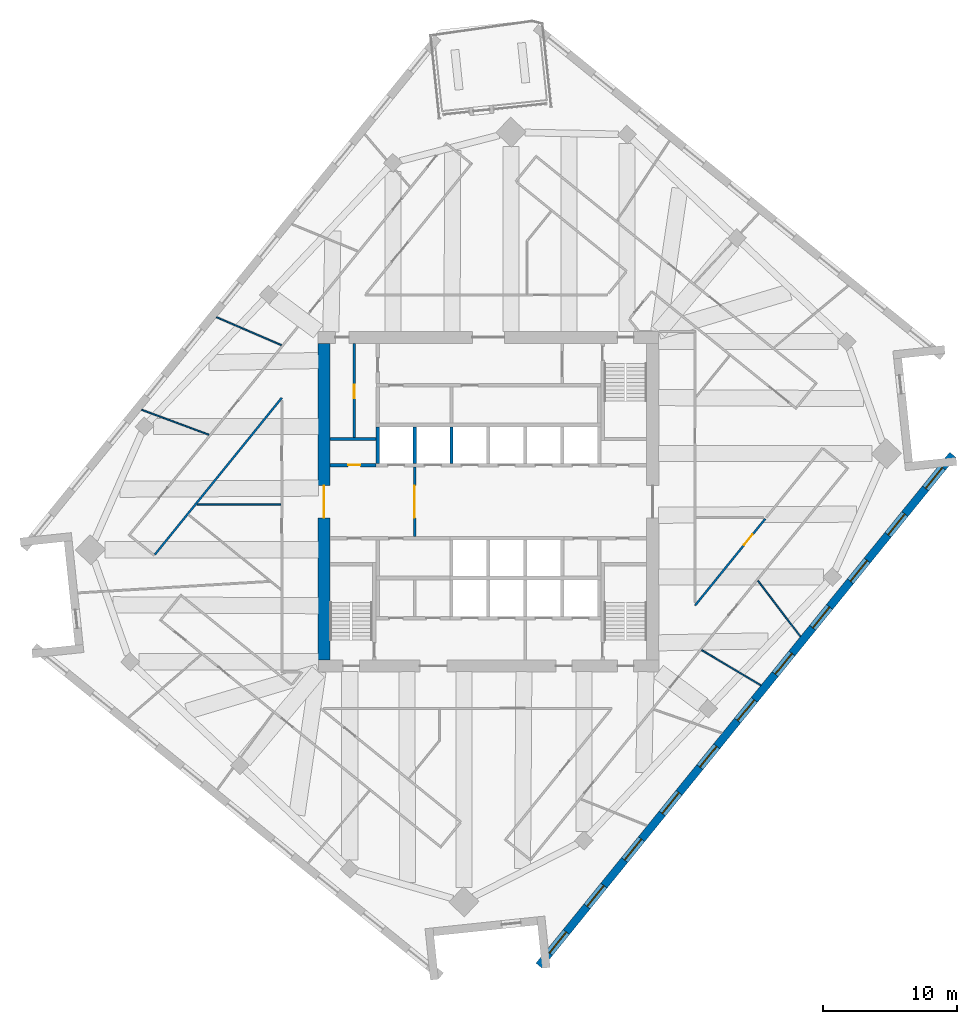
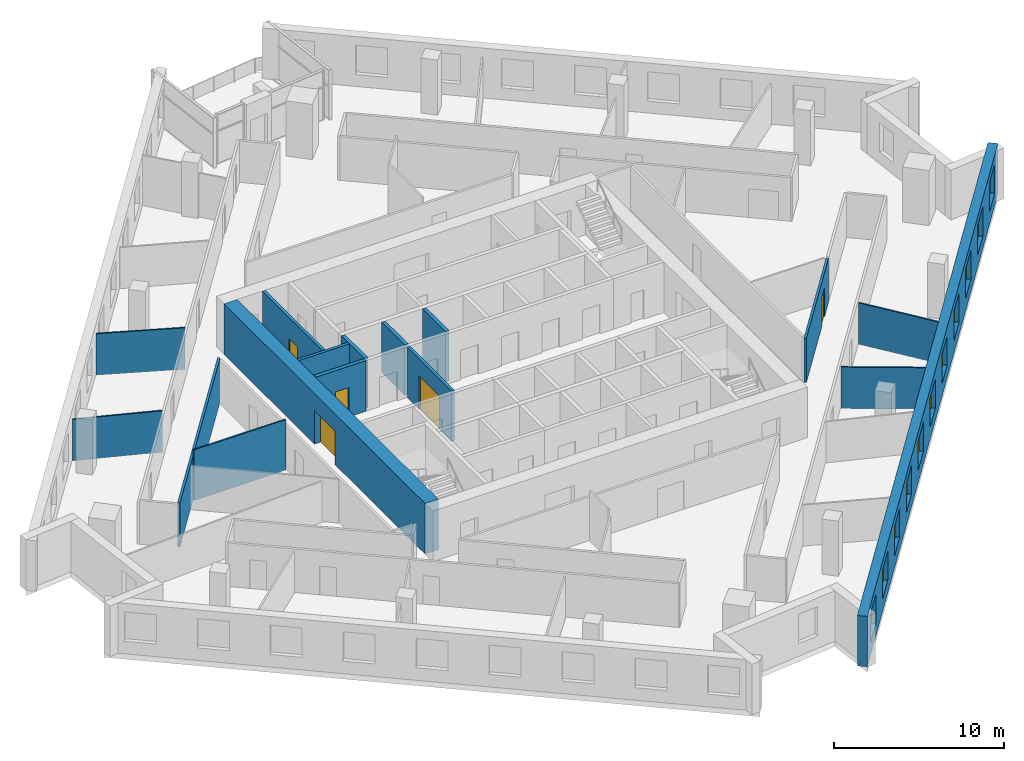
# One storey, part 9 of 14: 16 walls, 11 windows, 5 doors, 16 openings.
"""IFC4 building model written with IfcOpenShell, lengths in metres."""

from ifc_helpers import new_model, si_unit, direction, frame, frame_2d, origin, place, context, subcontext, project, spatial, rectangle, extrude, material, layer, layer_set, type_object, element, fill, save


model = new_model("IFC4")

# Units and contexts
model_context = context("Model", 3, precision=1e-05, world=origin(), true_north=direction((0.0, 1.0)))
body_context = subcontext(model_context, "Body", "Model", "MODEL_VIEW")
ifc_project = project(units=[si_unit("LENGTHUNIT", "METRE"), si_unit("AREAUNIT", "SQUARE_METRE"), si_unit("VOLUMEUNIT", "CUBIC_METRE"), si_unit("PLANEANGLEUNIT", "RADIAN"), si_unit("MASSUNIT", "GRAM", prefix="KILO")], contexts=[model_context])

# Site, building, storey
site_placement = place(None, origin())
site = spatial("IfcSite", under=ifc_project, at=site_placement, CompositionType="ELEMENT")
building_placement = place(site_placement, origin())
building = spatial("IfcBuilding", under=site, at=building_placement, Name="Dilmun Exchange Tower", CompositionType="ELEMENT")
storey_placement = place(building_placement, frame((0.0, 0.0, 233.300048828125)))
storey = spatial("IfcBuildingStorey", under=building, at=storey_placement, Name="L55", CompositionType="ELEMENT", Elevation=233.300048828125)

# Wall, opening, door
ifc_material_1 = material(Name="Concrete C40/50", Category="concrete")
ifc_layer_1 = layer(ifc_material_1, 0.199951171875)
ifc_layer_set_1 = layer_set([ifc_layer_1], Name="Concrete C40/50")
wall_type_1 = type_object("IfcWallType", Name="Core partition wall 200", PredefinedType="PARTITIONING", material=ifc_layer_set_1)
wall_1_placement = place(storey_placement, frame((-5.5, -2.594970703125, 0.0), z_axis=(0.0, 0.0, 1.0), x_axis=(0.0, 1.0, 0.0)))
wall_1 = element("IfcWall", 1, at=wall_1_placement, inside=storey, type_object=wall_type_1, Name="L55 core partition wall 10", PredefinedType="PARTITIONING", context=body_context, shape_type="SweptSolid", body=[
    extrude(rectangle(XDim=5.18994140625, YDim=0.199951171875, at=frame_2d((2.594970703125, 0.0))), origin(), (0.0, 0.0, 1.0), 3.619873046875),
])
opening_1_placement = place(wall_1_placement, frame((1.39501953125, 0.0, 0.0)))
opening_1 = element("IfcOpeningElement", 2, at=opening_1_placement, cuts=wall_1, Name="Opening CD1", PredefinedType="OPENING", context=body_context, shape_type="SweptSolid", body=[
    extrude(rectangle(XDim=2.39990234375, YDim=2.39990234375, at=frame_2d((1.199951171875, 1.199951171875))), frame((0.0, 0.10986328125, 0.0), z_axis=(0.0, -1.0, 0.0), x_axis=(1.0, 0.0, 0.0)), (0.0, 0.0, 1.0), 0.219970703125),
])
ifc_material_2 = material(Name="Fire-rated steel door set", Category="steel")
door_type_1 = type_object("IfcDoorType", Name="Core lobby door 2400x2400", OperationType="DOUBLE_DOOR_DOUBLE_SWING", PredefinedType="DOOR", material=ifc_material_2)
door_1_placement = place(opening_1_placement, origin())
door_1 = element("IfcDoor", 3, at=door_1_placement, inside=storey, type_object=door_type_1, Name="L55 door Lift lobby east", OperationType="DOUBLE_DOOR_DOUBLE_SWING", OverallHeight=2.39990234375, OverallWidth=2.39990234375, PredefinedType="DOOR", context=body_context, shape_type="SweptSolid", body=[
    extrude(rectangle(XDim=2.39990234375, YDim=2.39990234375, at=frame_2d((1.199951171875, 1.199951171875))), frame((0.0, 0.02490234375, 0.0), z_axis=(0.0, -1.0, 0.0), x_axis=(1.0, 0.0, 0.0)), (0.0, 0.0, 1.0), 0.050048828125),
])
fill(opening_1, door_1)

# Wall
wall_2_placement = place(storey_placement, frame((-11.794921875, 4.675048828125, 0.0), z_axis=(0.0, 0.0, 1.0), x_axis=(1.0, 0.0, 0.0)))
element("IfcWall", 4, at=wall_2_placement, inside=storey, type_object=wall_type_1, Name="L55 core partition wall 13", PredefinedType="PARTITIONING", context=body_context, shape_type="SweptSolid", body=[
    extrude(rectangle(XDim=3.4150390625, YDim=0.199951171875, at=frame_2d((1.70751953125, 0.0))), origin(), (0.0, 0.0, 1.0), 3.619873046875),
])

# Wall, opening, door
wall_3_placement = place(storey_placement, frame((-10.0, 4.780029296875, 0.0), z_axis=(0.0, 0.0, 1.0), x_axis=(0.0, 1.0, 0.0)))
wall_3 = element("IfcWall", 5, at=wall_3_placement, inside=storey, type_object=wall_type_1, Name="L55 core partition wall 14", PredefinedType="PARTITIONING", context=body_context, shape_type="SweptSolid", body=[
    extrude(rectangle(XDim=7.014892578125, YDim=0.199951171875, at=frame_2d((3.50732421875, 0.0))), origin(), (0.0, 0.0, 1.0), 3.619873046875),
])
opening_2_placement = place(wall_3_placement, frame((2.919921875, 0.0, 0.0)))
opening_2 = element("IfcOpeningElement", 6, at=opening_2_placement, cuts=wall_3, Name="Opening CD4", PredefinedType="OPENING", context=body_context, shape_type="SweptSolid", body=[
    extrude(rectangle(XDim=1.0, YDim=2.10009765625, at=frame_2d((0.5, 1.050048828125))), frame((0.0, 0.10986328125, 0.0), z_axis=(0.0, -1.0, 0.0), x_axis=(1.0, 0.0, 0.0)), (0.0, 0.0, 1.0), 0.219970703125),
])
door_type_2 = type_object("IfcDoorType", Name="Core room door 1000x2100", OperationType="SINGLE_SWING_LEFT", PredefinedType="DOOR", material=ifc_material_2)
door_2_placement = place(opening_2_placement, origin())
door_2 = element("IfcDoor", 7, at=door_2_placement, inside=storey, type_object=door_type_2, Name="L55 door Comms room", OperationType="SINGLE_SWING_RIGHT", OverallHeight=2.10009765625, OverallWidth=1.0, PredefinedType="DOOR", context=body_context, shape_type="SweptSolid", body=[
    extrude(rectangle(XDim=1.0, YDim=2.10009765625, at=frame_2d((0.5, 1.050048828125))), frame((0.0, 0.02490234375, 0.0), z_axis=(0.0, -1.0, 0.0), x_axis=(1.0, 0.0, 0.0)), (0.0, 0.0, 1.0), 0.050048828125),
])
fill(opening_2, door_2)

ifc_layer_2 = layer(ifc_material_1, 0.25)
ifc_layer_set_2 = layer_set([ifc_layer_2], Name="Concrete C40/50")
wall_type_2 = type_object("IfcWallType", Name="Core partition wall 250", PredefinedType="PARTITIONING", material=ifc_layer_set_2)
wall_4_placement = place(storey_placement, frame((-11.794921875, 2.72509765625, 0.0), z_axis=(0.0, 0.0, 1.0), x_axis=(1.0, 0.0, 0.0)))
wall_4 = element("IfcWall", 8, at=wall_4_placement, inside=storey, type_object=wall_type_2, Name="L55 core partition wall 11", PredefinedType="PARTITIONING", context=body_context, shape_type="SweptSolid", body=[
    extrude(rectangle(XDim=3.4150390625, YDim=0.25, at=frame_2d((1.70751953125, 0.0))), origin(), (0.0, 0.0, 1.0), 3.619873046875),
])
opening_3_placement = place(wall_4_placement, frame((1.344970703125, 0.0, 0.0)))
opening_3 = element("IfcOpeningElement", 9, at=opening_3_placement, cuts=wall_4, Name="Opening CD6", PredefinedType="OPENING", context=body_context, shape_type="SweptSolid", body=[
    extrude(rectangle(XDim=0.89990234375, YDim=2.10009765625, at=frame_2d((0.449951171875, 1.050048828125))), frame((0.0, 0.135009765625, 0.0), z_axis=(0.0, -1.0, 0.0), x_axis=(1.0, 0.0, 0.0)), (0.0, 0.0, 1.0), 0.27001953125),
])
door_type_3 = type_object("IfcDoorType", Name="Core room door 900x2100", OperationType="SINGLE_SWING_LEFT", PredefinedType="DOOR", material=ifc_material_2)
door_3_placement = place(opening_3_placement, origin())
door_3 = element("IfcDoor", 10, at=door_3_placement, inside=storey, type_object=door_type_3, Name="L55 door Plumbing riser", OperationType="SINGLE_SWING_RIGHT", OverallHeight=2.10009765625, OverallWidth=0.89990234375, PredefinedType="DOOR", context=body_context, shape_type="SweptSolid", body=[
    extrude(rectangle(XDim=0.89990234375, YDim=2.10009765625, at=frame_2d((0.449951171875, 1.050048828125))), frame((0.0, 0.02490234375, 0.0), z_axis=(0.0, -1.0, 0.0), x_axis=(1.0, 0.0, 0.0)), (0.0, 0.0, 1.0), 0.050048828125),
])
fill(opening_3, door_3)

ifc_material_3 = material(Name="Concrete C60/75", Category="concrete")
ifc_layer_3 = layer(ifc_material_3, 0.89990234375)
ifc_layer_set_3 = layer_set([ifc_layer_3], Name="Concrete C60/75")
wall_type_3 = type_object("IfcWallType", Name="Core shear wall 900 Concrete C60/75", PredefinedType="SHEAR", material=ifc_layer_set_3)
wall_5_placement = place(storey_placement, frame((-12.25, -11.800048828125, 0.0), z_axis=(0.0, 0.0, 1.0), x_axis=(0.0, 1.0, 0.0)))
wall_5 = element("IfcWall", 11, at=wall_5_placement, inside=storey, type_object=wall_type_3, Name="L55 core shear wall W", PredefinedType="SHEAR", context=body_context, shape_type="SweptSolid", body=[
    extrude(rectangle(XDim=23.60009765625, YDim=0.89990234375, at=frame_2d((11.800048828125, 0.0))), origin(), (0.0, 0.0, 1.0), 3.619873046875),
])
opening_4_placement = place(wall_5_placement, frame((10.60009765625, 0.0, 0.0)))
opening_4 = element("IfcOpeningElement", 12, at=opening_4_placement, cuts=wall_5, Name="Opening CD1", PredefinedType="OPENING", context=body_context, shape_type="SweptSolid", body=[
    extrude(rectangle(XDim=2.39990234375, YDim=2.39990234375, at=frame_2d((1.199951171875, 1.199951171875))), frame((0.0, 0.4599609375, 0.0), z_axis=(0.0, -1.0, 0.0), x_axis=(1.0, 0.0, 0.0)), (0.0, 0.0, 1.0), 0.919921875),
])
door_4_placement = place(opening_4_placement, origin())
door_4 = element("IfcDoor", 13, at=door_4_placement, inside=storey, type_object=door_type_1, Name="L55 door Central lift lobby", OperationType="SINGLE_SWING_LEFT", OverallHeight=2.39990234375, OverallWidth=2.39990234375, PredefinedType="DOOR", context=body_context, shape_type="SweptSolid", body=[
    extrude(rectangle(XDim=2.39990234375, YDim=2.39990234375, at=frame_2d((1.199951171875, 1.199951171875))), frame((0.0, 0.02490234375, 0.0), z_axis=(0.0, -1.0, 0.0), x_axis=(1.0, 0.0, 0.0)), (0.0, 0.0, 1.0), 0.050048828125),
])
fill(opening_4, door_4)

# Wall
ifc_material_4 = material(Name="Corridor wall 150")
ifc_layer_4 = layer(ifc_material_4, 0.14990234375)
ifc_layer_set_4 = layer_set([ifc_layer_4], Name="Corridor wall 150")
wall_type_4 = type_object("IfcWallType", Name="Corridor wall 150", PredefinedType="PARTITIONING", material=ifc_layer_set_4)
wall_6_placement = place(storey_placement, frame((-24.856689453125, -3.938720703125, 0.0), z_axis=(0.0, 0.0, 1.0), x_axis=(0.629334227899, 0.777134756393, 0.0)))
element("IfcWall", 14, at=wall_6_placement, inside=storey, type_object=wall_type_4, Name="Corridor wall", PredefinedType="PARTITIONING", context=body_context, shape_type="SweptSolid", body=[
    extrude(rectangle(XDim=15.026611328125, YDim=0.14990234375, at=frame_2d((7.51318359375, 0.0))), origin(), (0.0, 0.0, 1.0), 3.169921875),
])

# Wall, opening, door
wall_7_placement = place(storey_placement, frame((15.39990234375, -7.739013671875, 0.0), z_axis=(0.0, 0.0, 1.0), x_axis=(0.629348532184, 0.777123172373, 0.0)))
wall_7 = element("IfcWall", 15, at=wall_7_placement, inside=storey, type_object=wall_type_4, Name="Corridor wall", PredefinedType="PARTITIONING", context=body_context, shape_type="SweptSolid", body=[
    extrude(rectangle(XDim=8.316650390625, YDim=0.14990234375, at=frame_2d((4.158203125, 0.0))), origin(), (0.0, 0.0, 1.0), 3.169921875),
])
opening_5_placement = place(wall_7_placement, frame((5.800048828125, 0.0, 0.0)))
opening_5 = element("IfcOpeningElement", 16, at=opening_5_placement, cuts=wall_7, Name="Opening TF53-D20", PredefinedType="OPENING", context=body_context, shape_type="SweptSolid", body=[
    extrude(rectangle(XDim=1.0, YDim=2.10009765625, at=frame_2d((0.5, 1.050048828125))), frame((0.0, 0.0849609375, 0.0), z_axis=(0.0, -1.0, 0.0), x_axis=(1.0, 0.0, 0.0)), (0.0, 0.0, 1.0), 0.169921875),
])
ifc_material_5 = material(Name="Fire door 1000 x 2100")
door_type_4 = type_object("IfcDoorType", Name="Fire door 1000 x 2100", OperationType="NOTDEFINED", PredefinedType="DOOR", material=ifc_material_5)
door_5_placement = place(opening_5_placement, origin())
door_5 = element("IfcDoor", 17, at=door_5_placement, inside=storey, type_object=door_type_4, Name="Door TF53-D20", OperationType="SINGLE_SWING_RIGHT", OverallHeight=2.10009765625, OverallWidth=1.0, PredefinedType="DOOR", context=body_context, shape_type="SweptSolid", body=[
    extrude(rectangle(XDim=1.0, YDim=2.10009765625, at=frame_2d((0.5, 1.050048828125))), frame((0.0, 0.02490234375, 0.0), z_axis=(0.0, -1.0, 0.0), x_axis=(1.0, 0.0, 0.0)), (0.0, 0.0, 1.0), 0.050048828125),
])
fill(opening_5, door_5)

# Walls
ifc_layer_5 = layer(ifc_material_1, 0.25)
ifc_layer_set_5 = layer_set([ifc_layer_5], Name="Concrete C40/50")
wall_type_5 = type_object("IfcWallType", Name="Lift shaft wall 250", PredefinedType="SOLIDWALL", material=ifc_layer_set_5)
for number, where, z_axis, x_axis, name in (
    (18, (-8.25, 2.85009765625, 0.0), (0.0, 0.0, 1.0), (0.0, 1.0, 0.0), "L55 lift shaft divider N10"),
    (19, (-5.5, 2.85009765625, 0.0), (0.0, 0.0, 1.0), (0.0, 1.0, 0.0), "L55 lift shaft divider N11"),
    (20, (-2.75, 2.85009765625, 0.0), (0.0, 0.0, 1.0), (0.0, 1.0, 0.0), "L55 lift shaft divider N12"),
):
    element("IfcWall", number, at=place(storey_placement, frame(where, z_axis=z_axis, x_axis=x_axis)), inside=storey, type_object=wall_type_5, Name=name, PredefinedType="SOLIDWALL", context=body_context, shape_type="SweptSolid", body=[
        extrude(rectangle(XDim=2.699951171875, YDim=0.25, at=frame_2d((1.35009765625, 0.0))), origin(), (0.0, 0.0, 1.0), 3.619873046875),
    ])
ifc_material_6 = material(Name="Partition 100")
ifc_layer_6 = layer(ifc_material_6, 0.10009765625)
ifc_layer_set_6 = layer_set([ifc_layer_6], Name="Partition 100")
wall_type_6 = type_object("IfcWallType", Name="Partition 100", PredefinedType="PARTITIONING", material=ifc_layer_set_6)
wall_8_placement = place(storey_placement, frame((-25.8447265625, 6.853515625, 0.0), z_axis=(0.0, 0.0, 1.0), x_axis=(0.937152085017, -0.348921150905, 0.0)))
element("IfcWall", 21, at=wall_8_placement, inside=storey, type_object=wall_type_6, Name="Partition", PredefinedType="PARTITIONING", context=body_context, shape_type="SweptSolid", body=[
    extrude(rectangle(XDim=5.347900390625, YDim=0.10009765625, at=frame_2d((2.673828125, 0.0))), origin(), (0.0, 0.0, 1.0), 2.969970703125),
])
wall_9_placement = place(storey_placement, frame((-21.705078125, -0.216064453125, 0.0), z_axis=(0.0, 0.0, 1.0), x_axis=(1.0, 0.0, 0.0)))
element("IfcWall", 22, at=wall_9_placement, inside=storey, type_object=wall_type_6, Name="Partition", PredefinedType="PARTITIONING", context=body_context, shape_type="SweptSolid", body=[
    extrude(rectangle(XDim=6.22998046875, YDim=0.10009765625, at=frame_2d((3.114990234375, 0.0))), origin(), (0.0, 0.0, 1.0), 3.619873046875),
])
wall_10_placement = place(storey_placement, frame((-20.2587890625, 13.751220703125, 0.0), z_axis=(0.0, 0.0, 1.0), x_axis=(0.918139792182, -0.396256636553, 0.0)))
element("IfcWall", 23, at=wall_10_placement, inside=storey, type_object=wall_type_6, Name="Partition", PredefinedType="PARTITIONING", context=body_context, shape_type="SweptSolid", body=[
    extrude(rectangle(XDim=5.2666015625, YDim=0.10009765625, at=frame_2d((2.63330078125, 0.0))), origin(), (0.0, 0.0, 1.0), 2.969970703125),
])
wall_11_placement = place(storey_placement, frame((15.900390625, -11.064453125, 0.0), z_axis=(0.0, 0.0, 1.0), x_axis=(0.859280435997, -0.511504772522, 0.0)))
element("IfcWall", 24, at=wall_11_placement, inside=storey, type_object=wall_type_6, Name="Partition", PredefinedType="PARTITIONING", context=body_context, shape_type="SweptSolid", body=[
    extrude(rectangle(XDim=5.130859375, YDim=0.10009765625, at=frame_2d((2.5654296875, 0.0))), origin(), (0.0, 0.0, 1.0), 2.969970703125),
])
wall_12_placement = place(storey_placement, frame((20.09326171875, -5.89501953125, 0.0), z_axis=(0.0, 0.0, 1.0), x_axis=(0.605640268949, -0.795738565502, 0.0)))
element("IfcWall", 25, at=wall_12_placement, inside=storey, type_object=wall_type_6, Name="Partition", PredefinedType="PARTITIONING", context=body_context, shape_type="SweptSolid", body=[
    extrude(rectangle(XDim=5.221923828125, YDim=0.10009765625, at=frame_2d((2.61083984375, 0.0))), origin(), (0.0, 0.0, 1.0), 2.969970703125),
])

# Wall, openings, windows
ifc_material_7 = material(Name="Precast concrete C50/60", Category="concrete")
ifc_layer_7 = layer(ifc_material_7, 0.60009765625)
ifc_layer_set_7 = layer_set([ifc_layer_7], Name="Precast concrete C50/60")
wall_type_7 = type_object("IfcWallType", Name="Precast stone-clad wall 600", PredefinedType="STANDARD", material=ifc_layer_set_7)
wall_13_placement = place(storey_placement, frame((3.777099609375, -34.584228515625, 0.0), z_axis=(0.0, 0.0, 1.0), x_axis=(0.629323778295, 0.777143218508, 0.0)))
wall_13 = element("IfcWall", 26, at=wall_13_placement, inside=storey, type_object=wall_type_7, Name="Facade wall L55-11", PredefinedType="STANDARD", context=body_context, shape_type="SweptSolid", body=[
    extrude(rectangle(XDim=49.0, YDim=0.60009765625, at=frame_2d((24.5, 0.0))), origin(), (0.0, 0.0, 1.0), 3.619873046875),
])
opening_6_placement = place(wall_13_placement, frame((1.227294921875, 0.0, 0.89990234375)))
opening_6 = element("IfcOpeningElement", 27, at=opening_6_placement, cuts=wall_13, Name="Opening W200-210", PredefinedType="OPENING", context=body_context, shape_type="SweptSolid", body=[
    extrude(rectangle(XDim=2.0, YDim=2.10009765625, at=frame_2d((1.0, 1.050048828125))), frame((0.0, 0.31005859375, 0.0), z_axis=(0.0, -1.0, 0.0), x_axis=(1.0, 0.0, 0.0)), (0.0, 0.0, 1.0), 0.6201171875),
])
opening_7_placement = place(wall_13_placement, frame((5.681884765625, 0.0, 0.89990234375)))
opening_7 = element("IfcOpeningElement", 28, at=opening_7_placement, cuts=wall_13, Name="Opening W200-210", PredefinedType="OPENING", context=body_context, shape_type="SweptSolid", body=[
    extrude(rectangle(XDim=2.0, YDim=2.10009765625, at=frame_2d((1.0, 1.050048828125))), frame((0.0, 0.31005859375, 0.0), z_axis=(0.0, -1.0, 0.0), x_axis=(1.0, 0.0, 0.0)), (0.0, 0.0, 1.0), 0.6201171875),
])
opening_8_placement = place(wall_13_placement, frame((10.136474609375, 0.0, 0.89990234375)))
opening_8 = element("IfcOpeningElement", 29, at=opening_8_placement, cuts=wall_13, Name="Opening W200-210", PredefinedType="OPENING", context=body_context, shape_type="SweptSolid", body=[
    extrude(rectangle(XDim=2.0, YDim=2.10009765625, at=frame_2d((1.0, 1.050048828125))), frame((0.0, 0.31005859375, 0.0), z_axis=(0.0, -1.0, 0.0), x_axis=(1.0, 0.0, 0.0)), (0.0, 0.0, 1.0), 0.6201171875),
])
opening_9_placement = place(wall_13_placement, frame((14.5908203125, 0.0, 0.89990234375)))
opening_9 = element("IfcOpeningElement", 30, at=opening_9_placement, cuts=wall_13, Name="Opening W200-210", PredefinedType="OPENING", context=body_context, shape_type="SweptSolid", body=[
    extrude(rectangle(XDim=2.0, YDim=2.10009765625, at=frame_2d((1.0, 1.050048828125))), frame((0.0, 0.31005859375, 0.0), z_axis=(0.0, -1.0, 0.0), x_axis=(1.0, 0.0, 0.0)), (0.0, 0.0, 1.0), 0.6201171875),
])
opening_10_placement = place(wall_13_placement, frame((19.04541015625, 0.0, 0.89990234375)))
opening_10 = element("IfcOpeningElement", 31, at=opening_10_placement, cuts=wall_13, Name="Opening W200-210", PredefinedType="OPENING", context=body_context, shape_type="SweptSolid", body=[
    extrude(rectangle(XDim=2.0, YDim=2.10009765625, at=frame_2d((1.0, 1.050048828125))), frame((0.0, 0.31005859375, 0.0), z_axis=(0.0, -1.0, 0.0), x_axis=(1.0, 0.0, 0.0)), (0.0, 0.0, 1.0), 0.6201171875),
])
opening_11_placement = place(wall_13_placement, frame((23.5, 0.0, 0.89990234375)))
opening_11 = element("IfcOpeningElement", 32, at=opening_11_placement, cuts=wall_13, Name="Opening W200-210", PredefinedType="OPENING", context=body_context, shape_type="SweptSolid", body=[
    extrude(rectangle(XDim=2.0, YDim=2.10009765625, at=frame_2d((1.0, 1.050048828125))), frame((0.0, 0.31005859375, 0.0), z_axis=(0.0, -1.0, 0.0), x_axis=(1.0, 0.0, 0.0)), (0.0, 0.0, 1.0), 0.6201171875),
])
opening_12_placement = place(wall_13_placement, frame((27.95458984375, 0.0, 0.89990234375)))
opening_12 = element("IfcOpeningElement", 33, at=opening_12_placement, cuts=wall_13, Name="Opening W200-210", PredefinedType="OPENING", context=body_context, shape_type="SweptSolid", body=[
    extrude(rectangle(XDim=2.0, YDim=2.10009765625, at=frame_2d((1.0, 1.050048828125))), frame((0.0, 0.31005859375, 0.0), z_axis=(0.0, -1.0, 0.0), x_axis=(1.0, 0.0, 0.0)), (0.0, 0.0, 1.0), 0.6201171875),
])
opening_13_placement = place(wall_13_placement, frame((32.4091796875, 0.0, 0.89990234375)))
opening_13 = element("IfcOpeningElement", 34, at=opening_13_placement, cuts=wall_13, Name="Opening W200-210", PredefinedType="OPENING", context=body_context, shape_type="SweptSolid", body=[
    extrude(rectangle(XDim=2.0, YDim=2.10009765625, at=frame_2d((1.0, 1.050048828125))), frame((0.0, 0.31005859375, 0.0), z_axis=(0.0, -1.0, 0.0), x_axis=(1.0, 0.0, 0.0)), (0.0, 0.0, 1.0), 0.6201171875),
])
opening_14_placement = place(wall_13_placement, frame((36.863525390625, 0.0, 0.89990234375)))
opening_14 = element("IfcOpeningElement", 35, at=opening_14_placement, cuts=wall_13, Name="Opening W200-210", PredefinedType="OPENING", context=body_context, shape_type="SweptSolid", body=[
    extrude(rectangle(XDim=2.0, YDim=2.10009765625, at=frame_2d((1.0, 1.050048828125))), frame((0.0, 0.31005859375, 0.0), z_axis=(0.0, -1.0, 0.0), x_axis=(1.0, 0.0, 0.0)), (0.0, 0.0, 1.0), 0.6201171875),
])
opening_15_placement = place(wall_13_placement, frame((41.318115234375, 0.0, 0.89990234375)))
opening_15 = element("IfcOpeningElement", 36, at=opening_15_placement, cuts=wall_13, Name="Opening W200-210", PredefinedType="OPENING", context=body_context, shape_type="SweptSolid", body=[
    extrude(rectangle(XDim=2.0, YDim=2.10009765625, at=frame_2d((1.0, 1.050048828125))), frame((0.0, 0.31005859375, 0.0), z_axis=(0.0, -1.0, 0.0), x_axis=(1.0, 0.0, 0.0)), (0.0, 0.0, 1.0), 0.6201171875),
])
opening_16_placement = place(wall_13_placement, frame((45.772705078125, 0.0, 0.89990234375)))
opening_16 = element("IfcOpeningElement", 37, at=opening_16_placement, cuts=wall_13, Name="Opening W200-210", PredefinedType="OPENING", context=body_context, shape_type="SweptSolid", body=[
    extrude(rectangle(XDim=2.0, YDim=2.10009765625, at=frame_2d((1.0, 1.050048828125))), frame((0.0, 0.31005859375, 0.0), z_axis=(0.0, -1.0, 0.0), x_axis=(1.0, 0.0, 0.0)), (0.0, 0.0, 1.0), 0.6201171875),
])
ifc_material_8 = material(Name="Clear low-emissivity glass in aluminium frame", Category="aluminium")
window_type = type_object("IfcWindowType", Name="Punched window 2000 x 2100", PartitioningType="DOUBLE_PANEL_VERTICAL", PredefinedType="WINDOW", material=ifc_material_8)
window_1_placement = place(opening_6_placement, origin())
window_1 = element("IfcWindow", 38, at=window_1_placement, inside=storey, type_object=window_type, Name="Window 12.1", OverallHeight=2.10009765625, OverallWidth=2.0, PartitioningType="SINGLE_PANEL", PredefinedType="WINDOW", context=body_context, shape_type="SweptSolid", body=[
    extrude(rectangle(XDim=2.0, YDim=2.10009765625, at=frame_2d((1.0, 1.050048828125))), frame((0.0, 0.030029296875, 0.0), z_axis=(0.0, -1.0, 0.0), x_axis=(1.0, 0.0, 0.0)), (0.0, 0.0, 1.0), 0.06005859375),
])
fill(opening_6, window_1)
window_2_placement = place(opening_7_placement, origin())
window_2 = element("IfcWindow", 39, at=window_2_placement, inside=storey, type_object=window_type, Name="Window 12.2", OverallHeight=2.10009765625, OverallWidth=2.0, PartitioningType="SINGLE_PANEL", PredefinedType="WINDOW", context=body_context, shape_type="SweptSolid", body=[
    extrude(rectangle(XDim=2.0, YDim=2.10009765625, at=frame_2d((1.0, 1.050048828125))), frame((0.0, 0.030029296875, 0.0), z_axis=(0.0, -1.0, 0.0), x_axis=(1.0, 0.0, 0.0)), (0.0, 0.0, 1.0), 0.06005859375),
])
fill(opening_7, window_2)
window_3_placement = place(opening_8_placement, origin())
window_3 = element("IfcWindow", 40, at=window_3_placement, inside=storey, type_object=window_type, Name="Window 12.3", OverallHeight=2.10009765625, OverallWidth=2.0, PartitioningType="SINGLE_PANEL", PredefinedType="WINDOW", context=body_context, shape_type="SweptSolid", body=[
    extrude(rectangle(XDim=2.0, YDim=2.10009765625, at=frame_2d((1.0, 1.050048828125))), frame((0.0, 0.030029296875, 0.0), z_axis=(0.0, -1.0, 0.0), x_axis=(1.0, 0.0, 0.0)), (0.0, 0.0, 1.0), 0.06005859375),
])
fill(opening_8, window_3)
window_4_placement = place(opening_9_placement, origin())
window_4 = element("IfcWindow", 41, at=window_4_placement, inside=storey, type_object=window_type, Name="Window 12.4", OverallHeight=2.10009765625, OverallWidth=2.0, PartitioningType="SINGLE_PANEL", PredefinedType="WINDOW", context=body_context, shape_type="SweptSolid", body=[
    extrude(rectangle(XDim=2.0, YDim=2.10009765625, at=frame_2d((1.0, 1.050048828125))), frame((0.0, 0.030029296875, 0.0), z_axis=(0.0, -1.0, 0.0), x_axis=(1.0, 0.0, 0.0)), (0.0, 0.0, 1.0), 0.06005859375),
])
fill(opening_9, window_4)
window_5_placement = place(opening_10_placement, origin())
window_5 = element("IfcWindow", 42, at=window_5_placement, inside=storey, type_object=window_type, Name="Window 12.5", OverallHeight=2.10009765625, OverallWidth=2.0, PartitioningType="SINGLE_PANEL", PredefinedType="WINDOW", context=body_context, shape_type="SweptSolid", body=[
    extrude(rectangle(XDim=2.0, YDim=2.10009765625, at=frame_2d((1.0, 1.050048828125))), frame((0.0, 0.030029296875, 0.0), z_axis=(0.0, -1.0, 0.0), x_axis=(1.0, 0.0, 0.0)), (0.0, 0.0, 1.0), 0.06005859375),
])
fill(opening_10, window_5)
window_6_placement = place(opening_11_placement, origin())
window_6 = element("IfcWindow", 43, at=window_6_placement, inside=storey, type_object=window_type, Name="Window 12.6", OverallHeight=2.10009765625, OverallWidth=2.0, PartitioningType="SINGLE_PANEL", PredefinedType="WINDOW", context=body_context, shape_type="SweptSolid", body=[
    extrude(rectangle(XDim=2.0, YDim=2.10009765625, at=frame_2d((1.0, 1.050048828125))), frame((0.0, 0.030029296875, 0.0), z_axis=(0.0, -1.0, 0.0), x_axis=(1.0, 0.0, 0.0)), (0.0, 0.0, 1.0), 0.06005859375),
])
fill(opening_11, window_6)
window_7_placement = place(opening_12_placement, origin())
window_7 = element("IfcWindow", 44, at=window_7_placement, inside=storey, type_object=window_type, Name="Window 12.7", OverallHeight=2.10009765625, OverallWidth=2.0, PartitioningType="SINGLE_PANEL", PredefinedType="WINDOW", context=body_context, shape_type="SweptSolid", body=[
    extrude(rectangle(XDim=2.0, YDim=2.10009765625, at=frame_2d((1.0, 1.050048828125))), frame((0.0, 0.030029296875, 0.0), z_axis=(0.0, -1.0, 0.0), x_axis=(1.0, 0.0, 0.0)), (0.0, 0.0, 1.0), 0.06005859375),
])
fill(opening_12, window_7)
window_8_placement = place(opening_13_placement, origin())
window_8 = element("IfcWindow", 45, at=window_8_placement, inside=storey, type_object=window_type, Name="Window 12.8", OverallHeight=2.10009765625, OverallWidth=2.0, PartitioningType="SINGLE_PANEL", PredefinedType="WINDOW", context=body_context, shape_type="SweptSolid", body=[
    extrude(rectangle(XDim=2.0, YDim=2.10009765625, at=frame_2d((1.0, 1.050048828125))), frame((0.0, 0.030029296875, 0.0), z_axis=(0.0, -1.0, 0.0), x_axis=(1.0, 0.0, 0.0)), (0.0, 0.0, 1.0), 0.06005859375),
])
fill(opening_13, window_8)
window_9_placement = place(opening_14_placement, origin())
window_9 = element("IfcWindow", 46, at=window_9_placement, inside=storey, type_object=window_type, Name="Window 12.9", OverallHeight=2.10009765625, OverallWidth=2.0, PartitioningType="SINGLE_PANEL", PredefinedType="WINDOW", context=body_context, shape_type="SweptSolid", body=[
    extrude(rectangle(XDim=2.0, YDim=2.10009765625, at=frame_2d((1.0, 1.050048828125))), frame((0.0, 0.030029296875, 0.0), z_axis=(0.0, -1.0, 0.0), x_axis=(1.0, 0.0, 0.0)), (0.0, 0.0, 1.0), 0.06005859375),
])
fill(opening_14, window_9)
window_10_placement = place(opening_15_placement, origin())
window_10 = element("IfcWindow", 47, at=window_10_placement, inside=storey, type_object=window_type, Name="Window 12.10", OverallHeight=2.10009765625, OverallWidth=2.0, PartitioningType="SINGLE_PANEL", PredefinedType="WINDOW", context=body_context, shape_type="SweptSolid", body=[
    extrude(rectangle(XDim=2.0, YDim=2.10009765625, at=frame_2d((1.0, 1.050048828125))), frame((0.0, 0.030029296875, 0.0), z_axis=(0.0, -1.0, 0.0), x_axis=(1.0, 0.0, 0.0)), (0.0, 0.0, 1.0), 0.06005859375),
])
fill(opening_15, window_10)
window_11_placement = place(opening_16_placement, origin())
window_11 = element("IfcWindow", 48, at=window_11_placement, inside=storey, type_object=window_type, Name="Window 12.11", OverallHeight=2.10009765625, OverallWidth=2.0, PartitioningType="SINGLE_PANEL", PredefinedType="WINDOW", context=body_context, shape_type="SweptSolid", body=[
    extrude(rectangle(XDim=2.0, YDim=2.10009765625, at=frame_2d((1.0, 1.050048828125))), frame((0.0, 0.030029296875, 0.0), z_axis=(0.0, -1.0, 0.0), x_axis=(1.0, 0.0, 0.0)), (0.0, 0.0, 1.0), 0.06005859375),
])
fill(opening_16, window_11)

save(model, "model.ifc")
